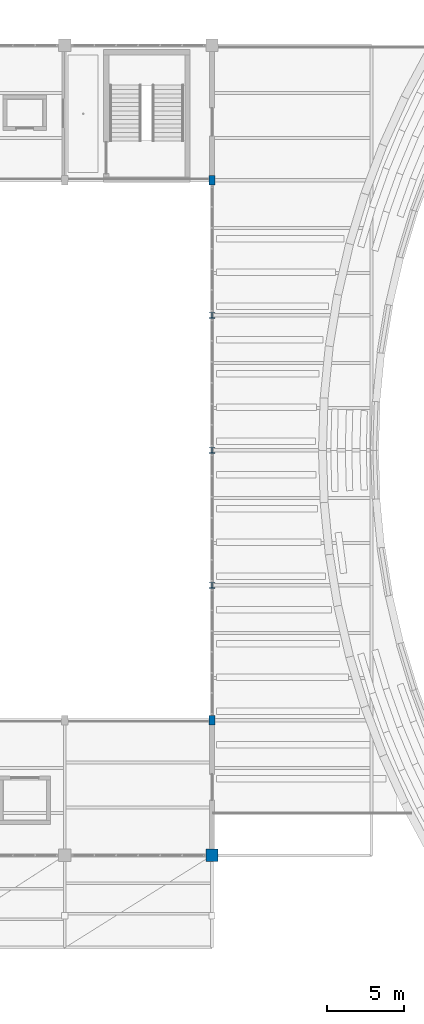
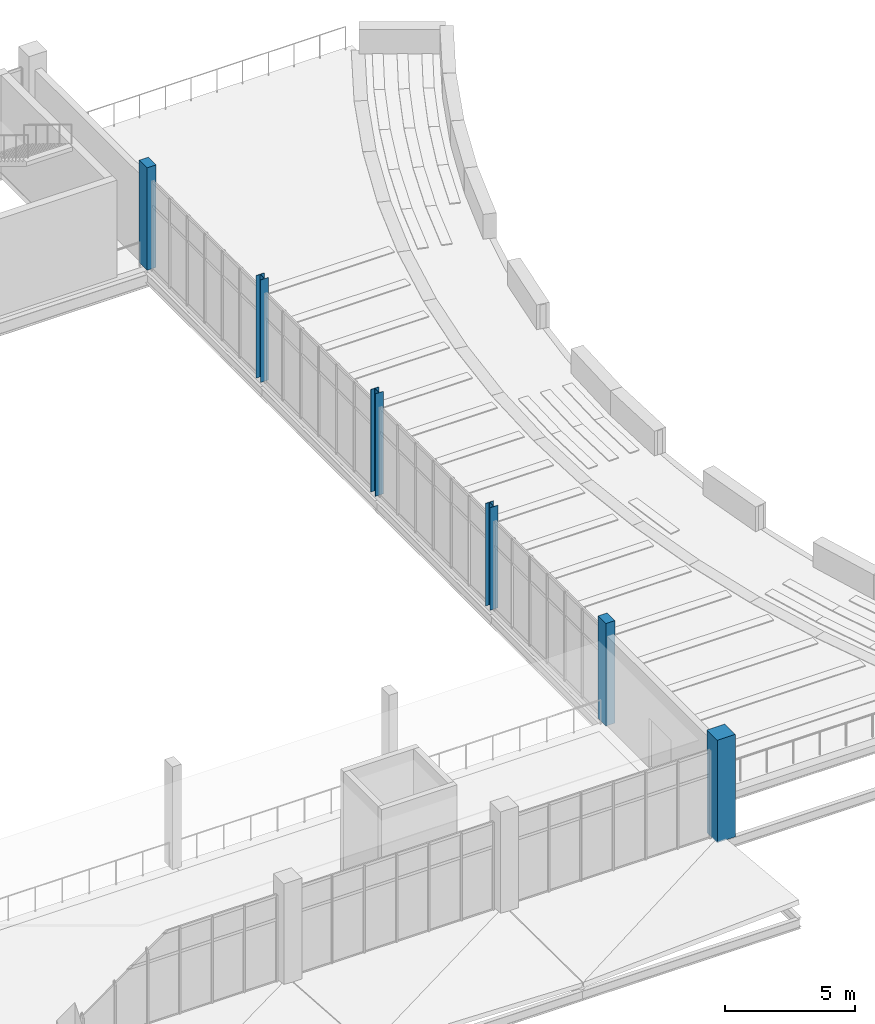
# One storey, part 12 of 157: 6 columns.
"""IFC4 building model written with IfcOpenShell, lengths in metres."""

from ifc_helpers import new_model, si_unit, direction, frame, origin, origin_2d, place, context, subcontext, project, spatial, rectangle, i_section, extrude, material, material_profile, profile_set, type_object, element, save


model = new_model("IFC4")

# Units and contexts
model_context = context("Model", 3, precision=1e-05, world=origin(), true_north=direction((0.0, 1.0)))
body_context = subcontext(model_context, "Body", "Model", "MODEL_VIEW")
ifc_project = project(units=[si_unit("LENGTHUNIT", "METRE"), si_unit("AREAUNIT", "SQUARE_METRE"), si_unit("VOLUMEUNIT", "CUBIC_METRE"), si_unit("PLANEANGLEUNIT", "RADIAN"), si_unit("MASSUNIT", "GRAM", prefix="KILO")], contexts=[model_context])

# Site, building, storey
site_placement = place(None, origin())
site = spatial("IfcSite", under=ifc_project, at=site_placement, CompositionType="ELEMENT")
building_placement = place(site_placement, origin())
building = spatial("IfcBuilding", under=site, at=building_placement, Name="Chalmorin Arch Market", CompositionType="ELEMENT")
storey_placement = place(building_placement, frame((0.0, 0.0, 4.800048828125)))
storey = spatial("IfcBuildingStorey", under=building, at=storey_placement, Name="L01", CompositionType="ELEMENT", Elevation=4.800048828125)

# Columns
ifc_material_1 = material(Name="Concrete C50/60", Category="concrete")
ifc_material_profile_1 = material_profile(ifc_material_1, rectangle(XDim=0.800048828125, YDim=0.800048828125, at=origin_2d()), Name="RC800X800")
ifc_profile_set_1 = profile_set([ifc_material_profile_1], Name="Concrete C50/60")
column_type_1 = type_object("IfcColumnType", Name="ArchPierColumn-800x800", PredefinedType="COLUMN", material=ifc_profile_set_1)
column_placement = place(storey_placement, frame((124.800048828125, 6.0, 0.0), z_axis=(0.0, 0.0, 1.0), x_axis=(1.0, 0.0, 0.0)))
element("IfcColumn", 1, at=column_placement, inside=storey, type_object=column_type_1, Name="C-AP1-644", PredefinedType="COLUMN", context=body_context, shape_type="SweptSolid", body=[
    extrude(rectangle(XDim=0.800048828125, YDim=0.800048828125, at=origin_2d()), origin(), (0.0, 0.0, 1.0), 4.800048828125),
])
ifc_material_2 = material(Name="Concrete C40/50", Category="concrete")
ifc_material_profile_2 = material_profile(ifc_material_2, rectangle(XDim=0.39990234375, YDim=0.60009765625, at=origin_2d()), Name="RC400X600")
ifc_profile_set_2 = profile_set([ifc_material_profile_2], Name="Concrete C40/50")
column_type_2 = type_object("IfcColumnType", Name="GalleryConcreteColumn-400x600", PredefinedType="COLUMN", material=ifc_profile_set_2)
for number, where, z_axis, x_axis, name in (
    (2, (124.800048828125, 14.800048828125, 0.0), (0.0, 0.0, 1.0), (1.0, 0.0, 0.0), "C-RC5-649"),
    (3, (124.800048828125, 50.0, 0.0), (0.0, 0.0, 1.0), (1.0, 0.0, 0.0), "C-RC5-669"),
):
    element("IfcColumn", number, at=place(storey_placement, frame(where, z_axis=z_axis, x_axis=x_axis)), inside=storey, type_object=column_type_2, Name=name, PredefinedType="COLUMN", context=body_context, shape_type="SweptSolid", body=[
        extrude(rectangle(XDim=0.39990234375, YDim=0.60009765625, at=origin_2d()), origin(), (0.0, 0.0, 1.0), 4.800048828125),
    ])
ifc_material_3 = material(Name="Steel A992 Grade 50", Category="steel")
ifc_material_profile_3 = material_profile(ifc_material_3, i_section(OverallWidth=0.35595703125, OverallDepth=0.35595703125, WebThickness=0.01123046875, FlangeThickness=0.01806640625, FilletRadius=0.02490234375, at=origin_2d()), Name="W14X90")
ifc_profile_set_3 = profile_set([ifc_material_profile_3], Name="Steel A992 Grade 50")
column_type_3 = type_object("IfcColumnType", Name="WideFlangeColumn-W14X90", PredefinedType="COLUMN", material=ifc_profile_set_3)
for number, where, z_axis, x_axis, name in (
    (4, (124.800048828125, 23.60009765625, 0.0), (0.0, 0.0, 1.0), (1.0, 0.0, 0.0), "C-ST2-654"),
    (5, (124.800048828125, 32.39990234375, 0.0), (0.0, 0.0, 1.0), (1.0, 0.0, 0.0), "C-ST2-659"),
    (6, (124.800048828125, 41.199951171875, 0.0), (0.0, 0.0, 1.0), (1.0, 0.0, 0.0), "C-ST2-664"),
):
    element("IfcColumn", number, at=place(storey_placement, frame(where, z_axis=z_axis, x_axis=x_axis)), inside=storey, type_object=column_type_3, Name=name, PredefinedType="COLUMN", context=body_context, shape_type="SweptSolid", body=[
        extrude(i_section(OverallWidth=0.35595703125, OverallDepth=0.35595703125, WebThickness=0.01123046875, FlangeThickness=0.01806640625, FilletRadius=0.02490234375, at=origin_2d()), origin(), (0.0, 0.0, 1.0), 4.800048828125),
    ])

save(model, "model.ifc")
